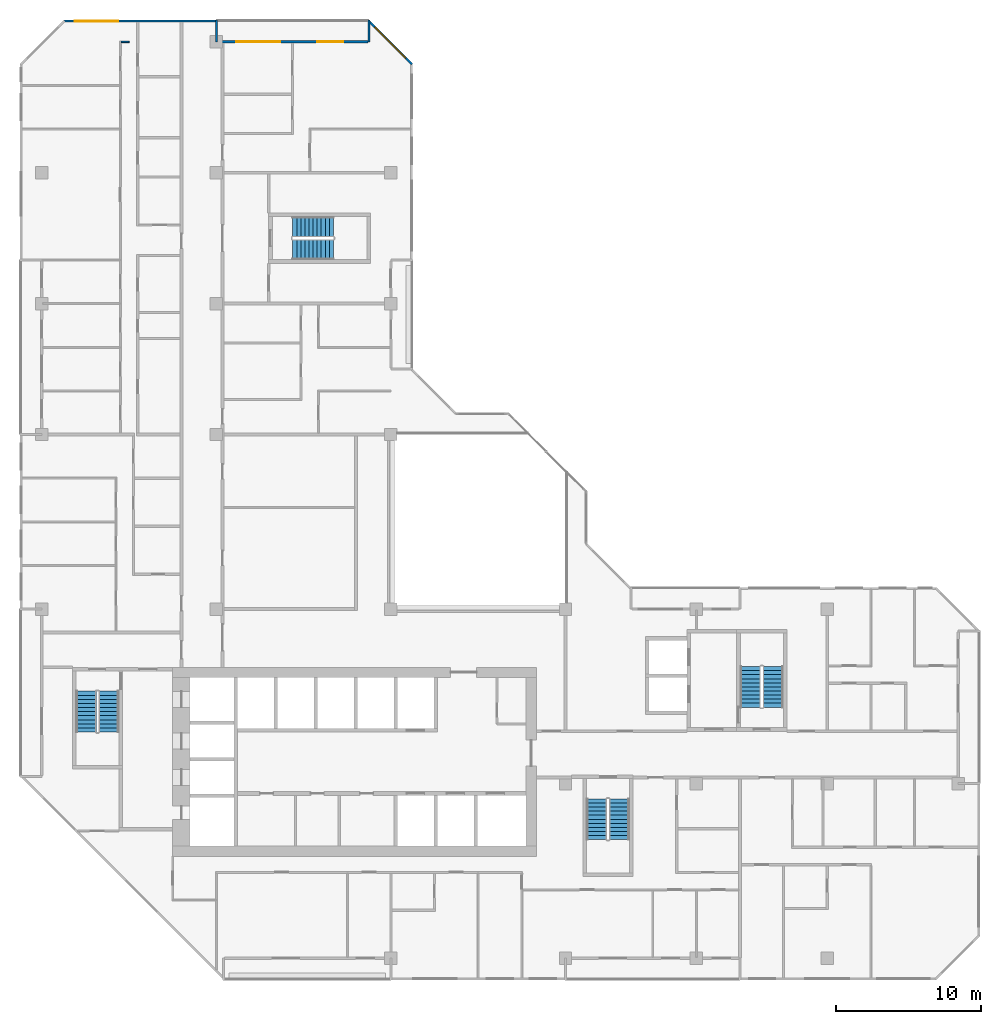
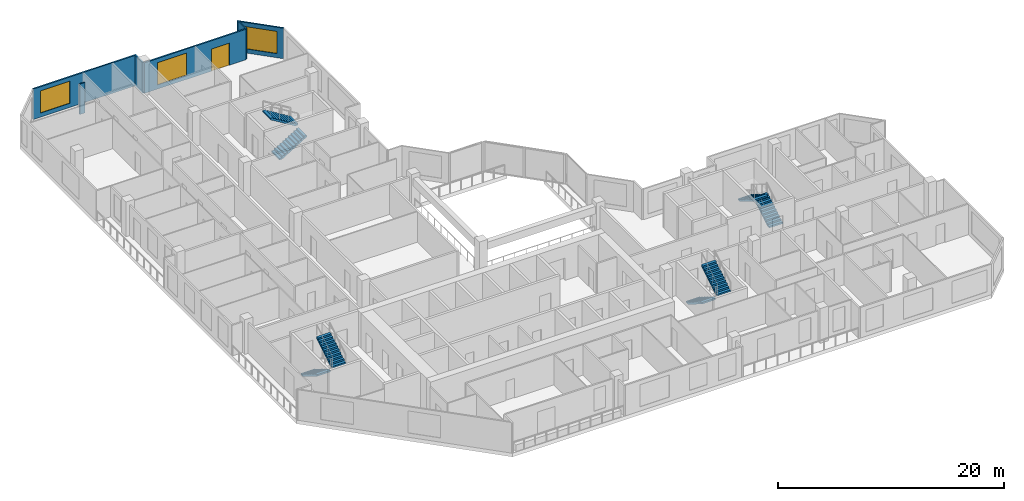
# One storey, part 13 of 15: 8 stair flights, 6 walls, 3 windows, 1 door, 4 openings, 4 elements without a shape of their own.
"""IFC4 building model written with IfcOpenShell, lengths in metres."""

import ifcopenshell
import ifcopenshell.guid

model = None  # the IFC model being written
_history = None  # IfcOwnerHistory: only IFC2X3 demands one
_inside = {}  # id of a spatial element -> (the spatial element, [elements in it])
_under = {}  # id of a project, library or spatial element -> (it, [spatial elements below it])
_declared = {}  # id of a project -> (the project, [libraries it declares])
_typed = {}  # id of a type object -> (the type object, [elements of that type])
_made_of = {}  # id of a material, layer set ... -> (it, [elements and type objects made of it])


def new_model(schema):
    """Start an empty IFC model of exactly this schema.

    Asked for "IFC4X3", IfcOpenShell would pick the latest addendum, in which some entities
    have other attributes; the version numbers below select the first issue.
    IFC2X3 requires an IfcOwnerHistory on every rooted entity: one is made here for all.
    """
    global model, _history
    if schema == "IFC4X3":
        model = ifcopenshell.file(schema_version=(4, 3, 0, 0))
    else:
        model = ifcopenshell.file(schema=schema)
    _inside.clear()
    _under.clear()
    _declared.clear()
    _typed.clear()
    _made_of.clear()
    _history = None
    if model.schema == "IFC2X3":
        org = make("IfcOrganization", Name="unknown")
        user = make(
            "IfcPersonAndOrganization",
            ThePerson=make("IfcPerson", FamilyName="unknown"),
            TheOrganization=org,
        )
        app = make(
            "IfcApplication",
            ApplicationDeveloper=org,
            Version="unknown",
            ApplicationFullName="unknown",
            ApplicationIdentifier="unknown",
        )
        _history = make(
            "IfcOwnerHistory",
            OwningUser=user,
            OwningApplication=app,
            ChangeAction="ADDED",
            CreationDate=0,
        )
    return model


def make(cls, **values):
    """One entity of the class cls with the attributes given. An attribute that is None is left unset."""
    return model.create_entity(
        cls, **{name: value for name, value in values.items() if value is not None}
    )


def rooted(cls, **values):
    """An entity with a GlobalId (a new one), such as an element, a storey or a relation."""
    return make(cls, GlobalId=ifcopenshell.guid.new(), OwnerHistory=_history, **values)


def si_unit(unit_type, name, prefix=None):
    """IfcSIUnit, for example si_unit("LENGTHUNIT", "METRE", prefix="MILLI")."""
    return make("IfcSIUnit", UnitType=unit_type, Prefix=prefix, Name=name)


def assignment(units):
    """IfcUnitAssignment: the units of a project."""
    return None if units is None else make("IfcUnitAssignment", Units=units)


def point(xyz):
    """IfcCartesianPoint."""
    return None if xyz is None else make("IfcCartesianPoint", Coordinates=xyz)


def direction(xyz):
    """IfcDirection."""
    return None if xyz is None else make("IfcDirection", DirectionRatios=xyz)


def frame(location, z_axis=None, x_axis=None):
    """IfcAxis2Placement3D, a coordinate frame: its origin and axes. An axis left out is left unset."""
    return make(
        "IfcAxis2Placement3D",
        Location=point(location),
        Axis=direction(z_axis),
        RefDirection=direction(x_axis),
    )


def frame_2d(location, x_axis=None):
    """IfcAxis2Placement2D, a coordinate frame in the plane: its origin and x axis."""
    return make(
        "IfcAxis2Placement2D", Location=point(location), RefDirection=direction(x_axis)
    )


def origin():
    """The frame at (0, 0, 0) with its axes left unset."""
    return frame((0.0, 0.0, 0.0))


def place(relative_to, where):
    """IfcLocalPlacement: puts the frame where relative to a parent placement (None: the world)."""
    return make(
        "IfcLocalPlacement", PlacementRelTo=relative_to, RelativePlacement=where
    )


def context(
    kind, dimensions, precision=None, world=None, true_north=None, identifier=None
):
    """IfcGeometricRepresentationContext, for example the 3D "Model" context."""
    return make(
        "IfcGeometricRepresentationContext",
        ContextIdentifier=identifier,
        ContextType=kind,
        CoordinateSpaceDimension=dimensions,
        Precision=precision,
        WorldCoordinateSystem=world,
        TrueNorth=true_north,
    )


def subcontext(parent, identifier, kind, view, scale=None):
    """IfcGeometricRepresentationSubContext, for example "Body" below "Model"."""
    return make(
        "IfcGeometricRepresentationSubContext",
        ContextIdentifier=identifier,
        ContextType=kind,
        ParentContext=parent,
        TargetScale=scale,
        TargetView=view,
    )


def project(units=None, contexts=None):
    """IfcProject with its units and contexts."""
    return rooted(
        "IfcProject",
        Name="project",
        RepresentationContexts=contexts,
        UnitsInContext=assignment(units),
    )


def spatial(cls, under=None, at=None, **own):
    """A site, building, storey or space (cls), placed at a placement, below another one or the project."""
    s = rooted(cls, ObjectPlacement=at, **own)
    if under is not None:
        _under.setdefault(under.id(), (under, []))[1].append(s)
    return s


def polyline(points):
    """IfcPolyline through the points."""
    return make("IfcPolyline", Points=[point(p) for p in points])


def profile(cls, at=None, kind="AREA", **sizes):
    """A parametric profile (cls). Its sizes go by their IFC names, for example OverallWidth=200.0."""
    return make(cls, ProfileType=kind, Position=at, **sizes)


def rectangle(**sizes):
    """IfcRectangleProfileDef."""
    return profile("IfcRectangleProfileDef", **sizes)


def outline(outer, holes=None, kind="AREA"):
    """IfcArbitraryClosedProfileDef: a profile drawn as a closed curve; with holes, ...WithVoids."""
    if holes is None:
        return make("IfcArbitraryClosedProfileDef", ProfileType=kind, OuterCurve=outer)
    return make(
        "IfcArbitraryProfileDefWithVoids",
        ProfileType=kind,
        OuterCurve=outer,
        InnerCurves=holes,
    )


def extrude(swept, where, along, depth):
    """IfcExtrudedAreaSolid: the profile swept, set in the frame where, extruded along a direction by depth."""
    return make(
        "IfcExtrudedAreaSolid",
        SweptArea=swept,
        Position=where,
        ExtrudedDirection=direction(along),
        Depth=depth,
    )


def shape(context_of_items, identifier, shape_type, items):
    """IfcShapeRepresentation: the items that make up one representation, for example the "Body"."""
    return make(
        "IfcShapeRepresentation",
        ContextOfItems=context_of_items,
        RepresentationIdentifier=identifier,
        RepresentationType=shape_type,
        Items=items,
    )


def material(Name=None, Category=None):
    """IfcMaterial."""
    return make("IfcMaterial", Name=Name, Category=Category)


def layer(
    of_material, thickness, ventilated=None, Name=None, Category=None, Priority=None
):
    """IfcMaterialLayer: one layer of a wall or slab, of a material (None: an air gap)."""
    return make(
        "IfcMaterialLayer",
        Material=of_material,
        LayerThickness=thickness,
        IsVentilated=ventilated,
        Name=Name,
        Category=Category,
        Priority=Priority,
    )


def layer_set(layers, Name=None):
    """IfcMaterialLayerSet."""
    return make("IfcMaterialLayerSet", MaterialLayers=layers, LayerSetName=Name)


def made_of(thing, what):
    """Note that an element or type object is made of a material, layer set ...; save() writes the relation."""
    if what is not None:
        _made_of.setdefault(what.id(), (what, []))[1].append(thing)
    return thing


def type_object(cls, material=None, **own):
    """A type object (cls), such as IfcWallType, which elements share."""
    return made_of(rooted(cls, **own), material)


def element(
    cls,
    number,
    at=None,
    inside=None,
    cuts=None,
    type_object=None,
    material=None,
    context=None,
    identifier="Body",
    shape_type=None,
    held_by="IfcProductDefinitionShape",
    body=None,
    shapes=None,
    **own,
):
    """One element of the class cls, such as IfcWall. Its Tag is "e" and its number.

    at: its placement. inside: the storey or other place that contains it. cuts: it is an
    opening in that element (IfcRelVoidsElement). A single representation is given by context,
    identifier, shape_type and body (its items); several are given by shapes. held_by: the class
    of the entity that holds the representations. save() writes the other relations.
    """
    e = rooted(cls, Tag="e%d" % number, ObjectPlacement=at, **own)
    if body is not None:
        shapes = [shape(context, identifier, shape_type, body)]
    if shapes is not None:
        e.Representation = make(held_by, Representations=shapes)
    if inside is not None:
        _inside.setdefault(inside.id(), (inside, []))[1].append(e)
    if cuts is not None:
        rooted(
            "IfcRelVoidsElement", RelatingBuildingElement=cuts, RelatedOpeningElement=e
        )
    if type_object is not None:
        _typed.setdefault(type_object.id(), (type_object, []))[1].append(e)
    return made_of(e, material)


def fill(opening, filler):
    """IfcRelFillsElement: the door or window that sits in an opening."""
    return rooted(
        "IfcRelFillsElement",
        RelatingOpeningElement=opening,
        RelatedBuildingElement=filler,
    )


def aggregate(whole, parts):
    """IfcRelAggregates: a whole, such as a stair, and the parts it consists of."""
    return rooted("IfcRelAggregates", RelatingObject=whole, RelatedObjects=parts)


def save(model, path):
    """Write the relations noted so far, then the file.

    IfcRelAggregates (storeys below a building ...), IfcRelContainedInSpatialStructure (elements
    in a storey), IfcRelDefinesByType, IfcRelAssociatesMaterial and IfcRelDeclares: one each for
    every whole, place, type object, material and project.
    """
    for whole, parts in _under.values():
        aggregate(whole, parts)
    for where, things in _inside.values():
        rooted(
            "IfcRelContainedInSpatialStructure",
            RelatedElements=things,
            RelatingStructure=where,
        )
    for kind, things in _typed.values():
        rooted("IfcRelDefinesByType", RelatedObjects=things, RelatingType=kind)
    for what, things in _made_of.values():
        rooted("IfcRelAssociatesMaterial", RelatedObjects=things, RelatingMaterial=what)
    for by, libraries in _declared.values():
        rooted("IfcRelDeclares", RelatingContext=by, RelatedDefinitions=libraries)
    model.write(path)


model = new_model("IFC4")

# Units and contexts
model_context = context("Model", 3, precision=1e-05, world=origin(), true_north=direction((0.0, 1.0)))
body_context = subcontext(model_context, "Body", "Model", "MODEL_VIEW")
ifc_project = project(units=[si_unit("LENGTHUNIT", "METRE"), si_unit("AREAUNIT", "SQUARE_METRE"), si_unit("VOLUMEUNIT", "CUBIC_METRE"), si_unit("PLANEANGLEUNIT", "RADIAN"), si_unit("MASSUNIT", "GRAM", prefix="KILO")], contexts=[model_context])

# Site, building, storey
site_placement = place(None, origin())
site = spatial("IfcSite", under=ifc_project, at=site_placement, CompositionType="ELEMENT")
building_placement = place(site_placement, origin())
building = spatial("IfcBuilding", under=site, at=building_placement, Name="Chenar Terraces", CompositionType="ELEMENT")
storey_placement = place(building_placement, frame((0.0, 0.0, 252.89990234375)))
storey = spatial("IfcBuildingStorey", under=building, at=storey_placement, Name="L60", CompositionType="ELEMENT", Elevation=252.89990234375)

# Wall, opening, window
ifc_material_1 = material(Name="Aluminium framed glazing", Category="aluminium")
ifc_layer_1 = layer(ifc_material_1, 0.14990234375)
ifc_layer_set_1 = layer_set([ifc_layer_1], Name="Aluminium framed glazing")
wall_type_1 = type_object("IfcWallType", Name="Glazed flush facade wall 150", PredefinedType="SOLIDWALL", material=ifc_layer_set_1)
wall_1_placement = place(storey_placement, frame((11.925048828125, 64.425048828125, 0.0), z_axis=(0.0, 0.0, 1.0), x_axis=(-1.0, 0.0, 0.0)))
wall_1 = element("IfcWall", 1, at=wall_1_placement, inside=storey, type_object=wall_type_1, Name="Glazed flush facade wall", PredefinedType="SOLIDWALL", context=body_context, shape_type="SweptSolid", body=[
    extrude(rectangle(XDim=10.425048828125, YDim=0.14990234375, at=frame_2d((5.21240234375, 0.0))), origin(), (0.0, 0.0, 1.0), 3.300048828125),
])
opening_1_placement = place(wall_1_placement, frame((6.675048828125, 0.0, 0.449951171875)))
opening_1 = element("IfcOpeningElement", 2, at=opening_1_placement, cuts=wall_1, Name="Opening W300x240", PredefinedType="OPENING", context=body_context, shape_type="SweptSolid", body=[
    extrude(rectangle(XDim=3.0, YDim=2.39990234375, at=frame_2d((1.5, 1.199951171875))), frame((0.0, 0.0849609375, 0.0), z_axis=(0.0, -1.0, 0.0), x_axis=(1.0, 0.0, 0.0)), (0.0, 0.0, 1.0), 0.169921875),
])
ifc_material_2 = material(Name="Low emissivity double glazing, aluminium frame", Category="aluminium")
window_type = type_object("IfcWindowType", Name="Fixed light 3000 x 2400", PartitioningType="SINGLE_PANEL", PredefinedType="WINDOW", material=ifc_material_2)
window_1_placement = place(opening_1_placement, origin())
window_1 = element("IfcWindow", 3, at=window_1_placement, inside=storey, type_object=window_type, Name="Window", OverallHeight=2.39990234375, OverallWidth=3.0, PartitioningType="SINGLE_PANEL", PredefinedType="WINDOW", context=body_context, shape_type="SweptSolid", body=[
    extrude(rectangle(XDim=3.0, YDim=2.39990234375, at=frame_2d((1.5, 1.199951171875))), frame((0.0, 0.030029296875, 0.0), z_axis=(0.0, -1.0, 0.0), x_axis=(1.0, 0.0, 0.0)), (0.0, 0.0, 1.0), 0.06005859375),
])
fill(opening_1, window_1)

# Wall, openings, window, door
ifc_material_3 = material(Name="Aluminium framed glazing", Category="aluminium")
ifc_layer_2 = layer(ifc_material_3, 0.14990234375)
ifc_layer_set_2 = layer_set([ifc_layer_2], Name="Aluminium framed glazing")
wall_type_2 = type_object("IfcWallType", Name="Glazed loggia back wall 150", PredefinedType="SOLIDWALL", material=ifc_layer_set_2)
wall_2_placement = place(storey_placement, frame((22.425048828125, 63.0, 0.0), z_axis=(0.0, 0.0, 1.0), x_axis=(-1.0, 0.0, 0.0)))
wall_2 = element("IfcWall", 4, at=wall_2_placement, inside=storey, type_object=wall_type_2, Name="Glazed loggia back wall", PredefinedType="SOLIDWALL", context=body_context, shape_type="SweptSolid", body=[
    extrude(rectangle(XDim=10.35009765625, YDim=0.14990234375, at=frame_2d((5.175048828125, 0.0))), origin(), (0.0, 0.0, 1.0), 3.300048828125),
])
opening_2_placement = place(wall_2_placement, frame((1.699951171875, 0.0, 0.0)))
opening_2 = element("IfcOpeningElement", 5, at=opening_2_placement, cuts=wall_2, Name="Opening DL60-G2", PredefinedType="OPENING", context=body_context, shape_type="SweptSolid", body=[
    extrude(rectangle(XDim=1.800048828125, YDim=2.39990234375, at=frame_2d((0.89990234375, 1.199951171875))), frame((0.0, 0.0849609375, 0.0), z_axis=(0.0, -1.0, 0.0), x_axis=(1.0, 0.0, 0.0)), (0.0, 0.0, 1.0), 0.169921875),
])
opening_3_placement = place(wall_2_placement, frame((6.050048828125, 0.0, 0.449951171875)))
opening_3 = element("IfcOpeningElement", 6, at=opening_3_placement, cuts=wall_2, Name="Opening W300x240", PredefinedType="OPENING", context=body_context, shape_type="SweptSolid", body=[
    extrude(rectangle(XDim=3.0, YDim=2.39990234375, at=frame_2d((1.5, 1.199951171875))), frame((0.0, 0.0849609375, 0.0), z_axis=(0.0, -1.0, 0.0), x_axis=(1.0, 0.0, 0.0)), (0.0, 0.0, 1.0), 0.169921875),
])
window_2_placement = place(opening_3_placement, origin())
window_2 = element("IfcWindow", 7, at=window_2_placement, inside=storey, type_object=window_type, Name="Window", OverallHeight=2.39990234375, OverallWidth=3.0, PartitioningType="SINGLE_PANEL", PredefinedType="WINDOW", context=body_context, shape_type="SweptSolid", body=[
    extrude(rectangle(XDim=3.0, YDim=2.39990234375, at=frame_2d((1.5, 1.199951171875))), frame((0.0, 0.030029296875, 0.0), z_axis=(0.0, -1.0, 0.0), x_axis=(1.0, 0.0, 0.0)), (0.0, 0.0, 1.0), 0.06005859375),
])
fill(opening_3, window_2)
ifc_material_4 = material(Name="Low emissivity double glazing, aluminium frame", Category="aluminium")
door_type = type_object("IfcDoorType", Name="Loggia glazed double door 1800 x 2400", OperationType="DOUBLE_DOOR_SINGLE_SWING", PredefinedType="DOOR", material=ifc_material_4)
door_placement = place(opening_2_placement, frame((1.800048828125, 0.0, 0.0), z_axis=(0.0, 0.0, 1.0), x_axis=(-1.0, 0.0, 0.0)))
door = element("IfcDoor", 8, at=door_placement, inside=storey, type_object=door_type, Name="Loggia glazed door", OperationType="DOUBLE_DOOR_SINGLE_SWING", OverallHeight=2.39990234375, OverallWidth=1.800048828125, PredefinedType="DOOR", context=body_context, shape_type="SweptSolid", body=[
    extrude(rectangle(XDim=1.800048828125, YDim=2.39990234375, at=frame_2d((0.89990234375, 1.199951171875))), frame((0.0, 0.02490234375, 0.0), z_axis=(0.0, -1.0, 0.0), x_axis=(1.0, 0.0, 0.0)), (0.0, 0.0, 1.0), 0.050048828125),
])
fill(opening_2, door)

# Walls
ifc_material_5 = material(Name="Gypsum board on steel studs", Category="steel")
ifc_layer_3 = layer(ifc_material_5, 0.10009765625)
ifc_layer_set_3 = layer_set([ifc_layer_3], Name="Gypsum board on steel studs")
wall_type_3 = type_object("IfcWallType", Name="Gypsum partition 100", PredefinedType="PARTITIONING", material=ifc_layer_set_3)
wall_3_placement = place(storey_placement, frame((5.449951171875, 63.0, 0.0), z_axis=(0.0, 0.0, 1.0), x_axis=(1.0, 0.0, 0.0)))
element("IfcWall", 9, at=wall_3_placement, inside=storey, type_object=wall_type_3, Name="Partition L60-016", PredefinedType="PARTITIONING", context=body_context, shape_type="SweptSolid", body=[
    extrude(rectangle(XDim=0.550048828125, YDim=0.10009765625, at=frame_2d((0.27490234375, 0.0))), origin(), (0.0, 0.0, 1.0), 3.300048828125),
])
ifc_material_6 = material(Name="Terracotta cladding on insulated backing", Category="masonry")
ifc_layer_4 = layer(ifc_material_6, 0.14990234375)
ifc_layer_set_4 = layer_set([ifc_layer_4], Name="Terracotta cladding on insulated backing")
wall_type_4 = type_object("IfcWallType", Name="Loggia return wall 150", PredefinedType="SOLIDWALL", material=ifc_layer_set_4)
for number, where, z_axis, x_axis, name in (
    (10, (22.5, 64.5, 0.0), (0.0, 0.0, 1.0), (0.0, -1.0, 0.0), "Loggia return wall"),
    (11, (12.0, 64.5, 0.0), (0.0, 0.0, 1.0), (0.0, -1.0, 0.0), "Loggia return wall"),
):
    element("IfcWall", number, at=place(storey_placement, frame(where, z_axis=z_axis, x_axis=x_axis)), inside=storey, type_object=wall_type_4, Name=name, PredefinedType="SOLIDWALL", context=body_context, shape_type="SweptSolid", body=[
        extrude(rectangle(XDim=1.5, YDim=0.14990234375, at=frame_2d((0.75, 0.0))), origin(), (0.0, 0.0, 1.0), 3.300048828125),
    ])

# Wall, opening, window
ifc_material_7 = material(Name="Terracotta cladding on insulated backing", Category="masonry")
ifc_layer_5 = layer(ifc_material_7, 0.14990234375)
ifc_layer_set_5 = layer_set([ifc_layer_5], Name="Terracotta cladding on insulated backing")
wall_type_5 = type_object("IfcWallType", Name="Terracotta rainscreen wall 150", PredefinedType="SOLIDWALL", material=ifc_layer_set_5)
wall_4_placement = place(storey_placement, frame((25.447021484375, 61.447021484375, 0.0), z_axis=(0.0, 0.0, 1.0), x_axis=(-0.707106781187, 0.707106781187, 0.0)))
wall_4 = element("IfcWall", 12, at=wall_4_placement, inside=storey, type_object=wall_type_5, Name="Terracotta rainscreen wall", PredefinedType="SOLIDWALL", context=body_context, shape_type="SweptSolid", body=[
    extrude(rectangle(XDim=4.24267578125, YDim=0.14990234375, at=frame_2d((2.121337890625, 0.0))), origin(), (0.0, 0.0, 1.0), 3.300048828125),
])
opening_4_placement = place(wall_4_placement, frame((0.621337890625, 0.0, 0.449951171875)))
opening_4 = element("IfcOpeningElement", 13, at=opening_4_placement, cuts=wall_4, Name="Opening W300x240", PredefinedType="OPENING", context=body_context, shape_type="SweptSolid", body=[
    extrude(rectangle(XDim=3.0, YDim=2.39990234375, at=frame_2d((1.5, 1.199951171875))), frame((0.0, 0.0849609375, 0.0), z_axis=(0.0, -1.0, 0.0), x_axis=(1.0, 0.0, 0.0)), (0.0, 0.0, 1.0), 0.169921875),
])
window_3_placement = place(opening_4_placement, origin())
window_3 = element("IfcWindow", 14, at=window_3_placement, inside=storey, type_object=window_type, Name="Window", OverallHeight=2.39990234375, OverallWidth=3.0, PartitioningType="SINGLE_PANEL", PredefinedType="WINDOW", context=body_context, shape_type="SweptSolid", body=[
    extrude(rectangle(XDim=3.0, YDim=2.39990234375, at=frame_2d((1.5, 1.199951171875))), frame((0.0, 0.030029296875, 0.0), z_axis=(0.0, -1.0, 0.0), x_axis=(1.0, 0.0, 0.0)), (0.0, 0.0, 1.0), 0.06005859375),
])
fill(opening_4, window_3)

# Stair, stair flights
ifc_material_8 = material(Name="Reinforced concrete C40/50", Category="concrete")
stair_type = type_object("IfcStairType", Name="Core stair 1400 half-turn", PredefinedType="HALF_TURN_STAIR", material=ifc_material_8)
placement = place(storey_placement, origin())
stair_1 = element("IfcStair", 15, at=placement, inside=storey, type_object=stair_type, Name="L60 Stair 1", PredefinedType="HALF_TURN_STAIR")
ifc_material_9 = material(Name="Reinforced concrete C40/50", Category="concrete")
stair_flight_type = type_object("IfcStairFlightType", Name="Core stair flight 1400", PredefinedType="STRAIGHT", material=ifc_material_9)
stair_flight_1_placement = place(storey_placement, frame((3.050048828125, 18.35009765625, 0.0), z_axis=(0.0, 0.0, 1.0), x_axis=(0.0, -1.0, 0.0)))
stair_flight_1 = element("IfcStairFlight", 16, at=stair_flight_1_placement, type_object=stair_flight_type, Name="ST1 flight 1", NumberOfRisers=11, NumberOfTreads=10, PredefinedType="STRAIGHT", RiserHeight=0.170454545, TreadLength=0.28, context=body_context, shape_type="SweptSolid", body=[
    extrude(outline(polyline([(-0.0029296875, 0.0), (-0.0029296875, 0.17041015625), (0.0, 0.17041015625), (0.280029296875, 0.17041015625), (0.280029296875, 0.3408203125), (0.56005859375, 0.3408203125), (0.56005859375, 0.511474609375), (0.840087890625, 0.511474609375), (0.840087890625, 0.681884765625), (1.1201171875, 0.681884765625), (1.1201171875, 0.852294921875), (1.39990234375, 0.852294921875), (1.39990234375, 1.022705078125), (1.679931640625, 1.022705078125), (1.679931640625, 1.193115234375), (1.9599609375, 1.193115234375), (1.9599609375, 1.363525390625), (2.239990234375, 1.363525390625), (2.239990234375, 1.5341796875), (2.52001953125, 1.5341796875), (2.52001953125, 1.70458984375), (2.800048828125, 1.70458984375), (2.802978515625, 1.70458984375), (2.802978515625, 1.529052734375), (2.800048828125, 1.529052734375), (0.288330078125, 0.0), (-0.0029296875, 0.0)])), frame((0.0, 0.699951171875, 0.0), z_axis=(0.0, -1.0, 0.0), x_axis=(1.0, 0.0, 0.0)), (0.0, 0.0, 1.0), 1.39990234375),
])
stair_flight_2_placement = place(storey_placement, frame((4.60009765625, 15.550048828125, 1.875), z_axis=(0.0, 0.0, 1.0), x_axis=(0.0, 1.0, 0.0)))
stair_flight_2 = element("IfcStairFlight", 17, at=stair_flight_2_placement, type_object=stair_flight_type, Name="ST1 flight 2", NumberOfRisers=11, NumberOfTreads=10, PredefinedType="STRAIGHT", RiserHeight=0.170454545, TreadLength=0.28, context=body_context, shape_type="SweptSolid", body=[
    extrude(outline(polyline([(-0.0029296875, 0.0), (-0.0029296875, 0.17041015625), (0.0, 0.17041015625), (0.280029296875, 0.17041015625), (0.280029296875, 0.3408203125), (0.56005859375, 0.3408203125), (0.56005859375, 0.511474609375), (0.840087890625, 0.511474609375), (0.840087890625, 0.681884765625), (1.1201171875, 0.681884765625), (1.1201171875, 0.852294921875), (1.39990234375, 0.852294921875), (1.39990234375, 1.022705078125), (1.679931640625, 1.022705078125), (1.679931640625, 1.193115234375), (1.9599609375, 1.193115234375), (1.9599609375, 1.363525390625), (2.239990234375, 1.363525390625), (2.239990234375, 1.5341796875), (2.52001953125, 1.5341796875), (2.52001953125, 1.70458984375), (2.800048828125, 1.70458984375), (2.802978515625, 1.70458984375), (2.802978515625, 1.529052734375), (2.800048828125, 1.529052734375), (0.288330078125, 0.0), (-0.0029296875, 0.0)])), frame((0.0, 0.699951171875, 0.0), z_axis=(0.0, -1.0, 0.0), x_axis=(1.0, 0.0, 0.0)), (0.0, 0.0, 1.0), 1.39990234375),
])
aggregate(stair_1, [stair_flight_1, stair_flight_2])

stair_2 = element("IfcStair", 18, at=placement, inside=storey, type_object=stair_type, Name="L60 Stair 2", PredefinedType="HALF_TURN_STAIR")
stair_flight_3_placement = place(storey_placement, frame((38.14990234375, 10.949951171875, 0.0), z_axis=(0.0, 0.0, 1.0), x_axis=(0.0, -1.0, 0.0)))
stair_flight_3 = element("IfcStairFlight", 19, at=stair_flight_3_placement, type_object=stair_flight_type, Name="ST2 flight 1", NumberOfRisers=11, NumberOfTreads=10, PredefinedType="STRAIGHT", RiserHeight=0.170454545, TreadLength=0.28, context=body_context, shape_type="SweptSolid", body=[
    extrude(outline(polyline([(-0.0029296875, 0.0), (-0.0029296875, 0.17041015625), (0.0, 0.17041015625), (0.280029296875, 0.17041015625), (0.280029296875, 0.3408203125), (0.56005859375, 0.3408203125), (0.56005859375, 0.511474609375), (0.840087890625, 0.511474609375), (0.840087890625, 0.681884765625), (1.1201171875, 0.681884765625), (1.1201171875, 0.852294921875), (1.39990234375, 0.852294921875), (1.39990234375, 1.022705078125), (1.679931640625, 1.022705078125), (1.679931640625, 1.193115234375), (1.9599609375, 1.193115234375), (1.9599609375, 1.363525390625), (2.239990234375, 1.363525390625), (2.239990234375, 1.5341796875), (2.52001953125, 1.5341796875), (2.52001953125, 1.70458984375), (2.800048828125, 1.70458984375), (2.802978515625, 1.70458984375), (2.802978515625, 1.529052734375), (2.800048828125, 1.529052734375), (0.288330078125, 0.0), (-0.0029296875, 0.0)])), frame((0.0, 0.699951171875, 0.0), z_axis=(0.0, -1.0, 0.0), x_axis=(1.0, 0.0, 0.0)), (0.0, 0.0, 1.0), 1.39990234375),
])
stair_flight_4_placement = place(storey_placement, frame((39.699951171875, 8.14990234375, 1.875), z_axis=(0.0, 0.0, 1.0), x_axis=(0.0, 1.0, 0.0)))
stair_flight_4 = element("IfcStairFlight", 20, at=stair_flight_4_placement, type_object=stair_flight_type, Name="ST2 flight 2", NumberOfRisers=11, NumberOfTreads=10, PredefinedType="STRAIGHT", RiserHeight=0.170454545, TreadLength=0.28, context=body_context, shape_type="SweptSolid", body=[
    extrude(outline(polyline([(-0.0029296875, 0.0), (-0.0029296875, 0.17041015625), (0.0, 0.17041015625), (0.280029296875, 0.17041015625), (0.280029296875, 0.3408203125), (0.56005859375, 0.3408203125), (0.56005859375, 0.511474609375), (0.840087890625, 0.511474609375), (0.840087890625, 0.681884765625), (1.1201171875, 0.681884765625), (1.1201171875, 0.852294921875), (1.39990234375, 0.852294921875), (1.39990234375, 1.022705078125), (1.679931640625, 1.022705078125), (1.679931640625, 1.193115234375), (1.9599609375, 1.193115234375), (1.9599609375, 1.363525390625), (2.239990234375, 1.363525390625), (2.239990234375, 1.5341796875), (2.52001953125, 1.5341796875), (2.52001953125, 1.70458984375), (2.800048828125, 1.70458984375), (2.802978515625, 1.70458984375), (2.802978515625, 1.529052734375), (2.800048828125, 1.529052734375), (0.288330078125, 0.0), (-0.0029296875, 0.0)])), frame((0.0, 0.699951171875, 0.0), z_axis=(0.0, -1.0, 0.0), x_axis=(1.0, 0.0, 0.0)), (0.0, 0.0, 1.0), 1.39990234375),
])
aggregate(stair_2, [stair_flight_3, stair_flight_4])

stair_3 = element("IfcStair", 21, at=placement, inside=storey, type_object=stair_type, Name="L60 Stair 3", PredefinedType="HALF_TURN_STAIR")
stair_flight_5_placement = place(storey_placement, frame((50.27490234375, 17.25, 0.0), z_axis=(0.0, 0.0, 1.0), x_axis=(0.0, 1.0, 0.0)))
stair_flight_5 = element("IfcStairFlight", 22, at=stair_flight_5_placement, type_object=stair_flight_type, Name="ST3 flight 1", NumberOfRisers=11, NumberOfTreads=10, PredefinedType="STRAIGHT", RiserHeight=0.170454545, TreadLength=0.28, context=body_context, shape_type="SweptSolid", body=[
    extrude(outline(polyline([(-0.0029296875, 0.0), (-0.0029296875, 0.17041015625), (0.0, 0.17041015625), (0.280029296875, 0.17041015625), (0.280029296875, 0.3408203125), (0.56005859375, 0.3408203125), (0.56005859375, 0.511474609375), (0.840087890625, 0.511474609375), (0.840087890625, 0.681884765625), (1.1201171875, 0.681884765625), (1.1201171875, 0.852294921875), (1.39990234375, 0.852294921875), (1.39990234375, 1.022705078125), (1.679931640625, 1.022705078125), (1.679931640625, 1.193115234375), (1.9599609375, 1.193115234375), (1.9599609375, 1.363525390625), (2.239990234375, 1.363525390625), (2.239990234375, 1.5341796875), (2.52001953125, 1.5341796875), (2.52001953125, 1.70458984375), (2.800048828125, 1.70458984375), (2.802978515625, 1.70458984375), (2.802978515625, 1.529052734375), (2.800048828125, 1.529052734375), (0.288330078125, 0.0), (-0.0029296875, 0.0)])), frame((0.0, 0.699951171875, 0.0), z_axis=(0.0, -1.0, 0.0), x_axis=(1.0, 0.0, 0.0)), (0.0, 0.0, 1.0), 1.39990234375),
])
stair_flight_6_placement = place(storey_placement, frame((48.72509765625, 20.050048828125, 1.875), z_axis=(0.0, 0.0, 1.0), x_axis=(0.0, -1.0, 0.0)))
stair_flight_6 = element("IfcStairFlight", 23, at=stair_flight_6_placement, type_object=stair_flight_type, Name="ST3 flight 2", NumberOfRisers=11, NumberOfTreads=10, PredefinedType="STRAIGHT", RiserHeight=0.170454545, TreadLength=0.28, context=body_context, shape_type="SweptSolid", body=[
    extrude(outline(polyline([(-0.0029296875, 0.0), (-0.0029296875, 0.17041015625), (0.0, 0.17041015625), (0.280029296875, 0.17041015625), (0.280029296875, 0.3408203125), (0.56005859375, 0.3408203125), (0.56005859375, 0.511474609375), (0.840087890625, 0.511474609375), (0.840087890625, 0.681884765625), (1.1201171875, 0.681884765625), (1.1201171875, 0.852294921875), (1.39990234375, 0.852294921875), (1.39990234375, 1.022705078125), (1.679931640625, 1.022705078125), (1.679931640625, 1.193115234375), (1.9599609375, 1.193115234375), (1.9599609375, 1.363525390625), (2.239990234375, 1.363525390625), (2.239990234375, 1.5341796875), (2.52001953125, 1.5341796875), (2.52001953125, 1.70458984375), (2.800048828125, 1.70458984375), (2.802978515625, 1.70458984375), (2.802978515625, 1.529052734375), (2.800048828125, 1.529052734375), (0.288330078125, 0.0), (-0.0029296875, 0.0)])), frame((0.0, 0.699951171875, 0.0), z_axis=(0.0, -1.0, 0.0), x_axis=(1.0, 0.0, 0.0)), (0.0, 0.0, 1.0), 1.39990234375),
])
aggregate(stair_3, [stair_flight_5, stair_flight_6])

stair_4 = element("IfcStair", 24, at=placement, inside=storey, type_object=stair_type, Name="L60 Stair 4", PredefinedType="HALF_TURN_STAIR")
stair_flight_7_placement = place(storey_placement, frame((17.25, 48.72509765625, 0.0), z_axis=(0.0, 0.0, 1.0), x_axis=(1.0, 0.0, 0.0)))
stair_flight_7 = element("IfcStairFlight", 25, at=stair_flight_7_placement, type_object=stair_flight_type, Name="ST4 flight 1", NumberOfRisers=11, NumberOfTreads=10, PredefinedType="STRAIGHT", RiserHeight=0.170454545, TreadLength=0.28, context=body_context, shape_type="SweptSolid", body=[
    extrude(outline(polyline([(-0.0029296875, 0.0), (-0.0029296875, 0.17041015625), (0.0, 0.17041015625), (0.280029296875, 0.17041015625), (0.280029296875, 0.3408203125), (0.56005859375, 0.3408203125), (0.56005859375, 0.511474609375), (0.840087890625, 0.511474609375), (0.840087890625, 0.681884765625), (1.1201171875, 0.681884765625), (1.1201171875, 0.852294921875), (1.39990234375, 0.852294921875), (1.39990234375, 1.022705078125), (1.679931640625, 1.022705078125), (1.679931640625, 1.193115234375), (1.9599609375, 1.193115234375), (1.9599609375, 1.363525390625), (2.239990234375, 1.363525390625), (2.239990234375, 1.5341796875), (2.52001953125, 1.5341796875), (2.52001953125, 1.70458984375), (2.800048828125, 1.70458984375), (2.802978515625, 1.70458984375), (2.802978515625, 1.529052734375), (2.800048828125, 1.529052734375), (0.288330078125, 0.0), (-0.0029296875, 0.0)])), frame((0.0, 0.699951171875, 0.0), z_axis=(0.0, -1.0, 0.0), x_axis=(1.0, 0.0, 0.0)), (0.0, 0.0, 1.0), 1.39990234375),
])
stair_flight_8_placement = place(storey_placement, frame((20.050048828125, 50.27490234375, 1.875), z_axis=(0.0, 0.0, 1.0), x_axis=(-1.0, 0.0, 0.0)))
stair_flight_8 = element("IfcStairFlight", 26, at=stair_flight_8_placement, type_object=stair_flight_type, Name="ST4 flight 2", NumberOfRisers=11, NumberOfTreads=10, PredefinedType="STRAIGHT", RiserHeight=0.170454545, TreadLength=0.28, context=body_context, shape_type="SweptSolid", body=[
    extrude(outline(polyline([(-0.0029296875, 0.0), (-0.0029296875, 0.17041015625), (0.0, 0.17041015625), (0.280029296875, 0.17041015625), (0.280029296875, 0.3408203125), (0.56005859375, 0.3408203125), (0.56005859375, 0.511474609375), (0.840087890625, 0.511474609375), (0.840087890625, 0.681884765625), (1.1201171875, 0.681884765625), (1.1201171875, 0.852294921875), (1.39990234375, 0.852294921875), (1.39990234375, 1.022705078125), (1.679931640625, 1.022705078125), (1.679931640625, 1.193115234375), (1.9599609375, 1.193115234375), (1.9599609375, 1.363525390625), (2.239990234375, 1.363525390625), (2.239990234375, 1.5341796875), (2.52001953125, 1.5341796875), (2.52001953125, 1.70458984375), (2.800048828125, 1.70458984375), (2.802978515625, 1.70458984375), (2.802978515625, 1.529052734375), (2.800048828125, 1.529052734375), (0.288330078125, 0.0), (-0.0029296875, 0.0)])), frame((0.0, 0.699951171875, 0.0), z_axis=(0.0, -1.0, 0.0), x_axis=(1.0, 0.0, 0.0)), (0.0, 0.0, 1.0), 1.39990234375),
])
aggregate(stair_4, [stair_flight_7, stair_flight_8])

save(model, "model.ifc")
